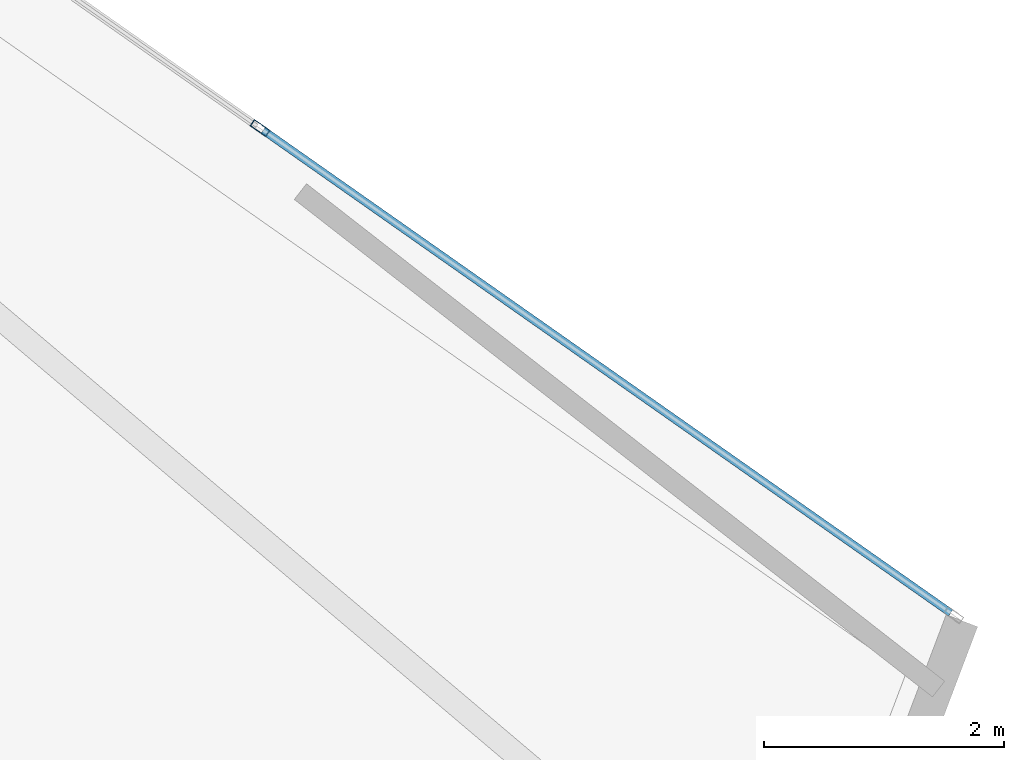
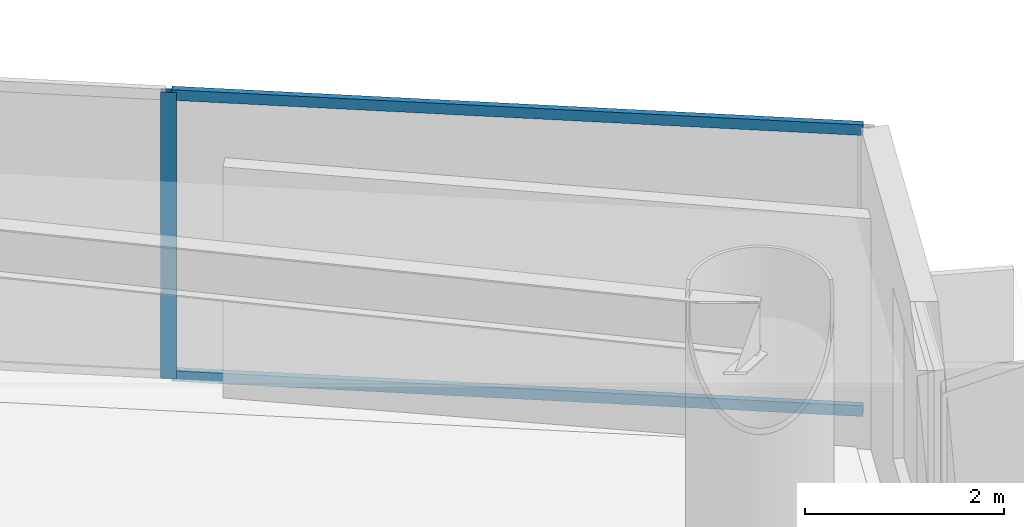
# One storey, part 16 of 24: 3 members, 1 element without a shape of its own.
"""IFC4 building model written with IfcOpenShell, lengths in metres."""

import ifcopenshell
import ifcopenshell.guid

model = None  # the IFC model being written
_history = None  # IfcOwnerHistory: only IFC2X3 demands one
_inside = {}  # id of a spatial element -> (the spatial element, [elements in it])
_under = {}  # id of a project, library or spatial element -> (it, [spatial elements below it])
_declared = {}  # id of a project -> (the project, [libraries it declares])
_typed = {}  # id of a type object -> (the type object, [elements of that type])
_made_of = {}  # id of a material, layer set ... -> (it, [elements and type objects made of it])


def new_model(schema):
    """Start an empty IFC model of exactly this schema.

    Asked for "IFC4X3", IfcOpenShell would pick the latest addendum, in which some entities
    have other attributes; the version numbers below select the first issue.
    IFC2X3 requires an IfcOwnerHistory on every rooted entity: one is made here for all.
    """
    global model, _history
    if schema == "IFC4X3":
        model = ifcopenshell.file(schema_version=(4, 3, 0, 0))
    else:
        model = ifcopenshell.file(schema=schema)
    _inside.clear()
    _under.clear()
    _declared.clear()
    _typed.clear()
    _made_of.clear()
    _history = None
    if model.schema == "IFC2X3":
        org = make("IfcOrganization", Name="unknown")
        user = make(
            "IfcPersonAndOrganization",
            ThePerson=make("IfcPerson", FamilyName="unknown"),
            TheOrganization=org,
        )
        app = make(
            "IfcApplication",
            ApplicationDeveloper=org,
            Version="unknown",
            ApplicationFullName="unknown",
            ApplicationIdentifier="unknown",
        )
        _history = make(
            "IfcOwnerHistory",
            OwningUser=user,
            OwningApplication=app,
            ChangeAction="ADDED",
            CreationDate=0,
        )
    return model


def make(cls, **values):
    """One entity of the class cls with the attributes given. An attribute that is None is left unset."""
    return model.create_entity(
        cls, **{name: value for name, value in values.items() if value is not None}
    )


def rooted(cls, **values):
    """An entity with a GlobalId (a new one), such as an element, a storey or a relation."""
    return make(cls, GlobalId=ifcopenshell.guid.new(), OwnerHistory=_history, **values)


def si_unit(unit_type, name, prefix=None):
    """IfcSIUnit, for example si_unit("LENGTHUNIT", "METRE", prefix="MILLI")."""
    return make("IfcSIUnit", UnitType=unit_type, Prefix=prefix, Name=name)


def assignment(units):
    """IfcUnitAssignment: the units of a project."""
    return None if units is None else make("IfcUnitAssignment", Units=units)


def point(xyz):
    """IfcCartesianPoint."""
    return None if xyz is None else make("IfcCartesianPoint", Coordinates=xyz)


def direction(xyz):
    """IfcDirection."""
    return None if xyz is None else make("IfcDirection", DirectionRatios=xyz)


def frame(location, z_axis=None, x_axis=None):
    """IfcAxis2Placement3D, a coordinate frame: its origin and axes. An axis left out is left unset."""
    return make(
        "IfcAxis2Placement3D",
        Location=point(location),
        Axis=direction(z_axis),
        RefDirection=direction(x_axis),
    )


def frame_2d(location, x_axis=None):
    """IfcAxis2Placement2D, a coordinate frame in the plane: its origin and x axis."""
    return make(
        "IfcAxis2Placement2D", Location=point(location), RefDirection=direction(x_axis)
    )


def origin():
    """The frame at (0, 0, 0) with its axes left unset."""
    return frame((0.0, 0.0, 0.0))


def origin_2d():
    """The frame at (0, 0) in the plane with its x axis left unset."""
    return frame_2d((0.0, 0.0))


def place(relative_to, where):
    """IfcLocalPlacement: puts the frame where relative to a parent placement (None: the world)."""
    return make(
        "IfcLocalPlacement", PlacementRelTo=relative_to, RelativePlacement=where
    )


def context(
    kind, dimensions, precision=None, world=None, true_north=None, identifier=None
):
    """IfcGeometricRepresentationContext, for example the 3D "Model" context."""
    return make(
        "IfcGeometricRepresentationContext",
        ContextIdentifier=identifier,
        ContextType=kind,
        CoordinateSpaceDimension=dimensions,
        Precision=precision,
        WorldCoordinateSystem=world,
        TrueNorth=true_north,
    )


def subcontext(parent, identifier, kind, view, scale=None):
    """IfcGeometricRepresentationSubContext, for example "Body" below "Model"."""
    return make(
        "IfcGeometricRepresentationSubContext",
        ContextIdentifier=identifier,
        ContextType=kind,
        ParentContext=parent,
        TargetScale=scale,
        TargetView=view,
    )


def project(units=None, contexts=None):
    """IfcProject with its units and contexts."""
    return rooted(
        "IfcProject",
        Name="project",
        RepresentationContexts=contexts,
        UnitsInContext=assignment(units),
    )


def spatial(cls, under=None, at=None, **own):
    """A site, building, storey or space (cls), placed at a placement, below another one or the project."""
    s = rooted(cls, ObjectPlacement=at, **own)
    if under is not None:
        _under.setdefault(under.id(), (under, []))[1].append(s)
    return s


def profile(cls, at=None, kind="AREA", **sizes):
    """A parametric profile (cls). Its sizes go by their IFC names, for example OverallWidth=200.0."""
    return make(cls, ProfileType=kind, Position=at, **sizes)


def hollow_rectangle(**sizes):
    """IfcRectangleHollowProfileDef."""
    return profile("IfcRectangleHollowProfileDef", **sizes)


def extrude(swept, where, along, depth):
    """IfcExtrudedAreaSolid: the profile swept, set in the frame where, extruded along a direction by depth."""
    return make(
        "IfcExtrudedAreaSolid",
        SweptArea=swept,
        Position=where,
        ExtrudedDirection=direction(along),
        Depth=depth,
    )


def shape(context_of_items, identifier, shape_type, items):
    """IfcShapeRepresentation: the items that make up one representation, for example the "Body"."""
    return make(
        "IfcShapeRepresentation",
        ContextOfItems=context_of_items,
        RepresentationIdentifier=identifier,
        RepresentationType=shape_type,
        Items=items,
    )


def material(Name=None, Category=None):
    """IfcMaterial."""
    return make("IfcMaterial", Name=Name, Category=Category)


def layer(
    of_material, thickness, ventilated=None, Name=None, Category=None, Priority=None
):
    """IfcMaterialLayer: one layer of a wall or slab, of a material (None: an air gap)."""
    return make(
        "IfcMaterialLayer",
        Material=of_material,
        LayerThickness=thickness,
        IsVentilated=ventilated,
        Name=Name,
        Category=Category,
        Priority=Priority,
    )


def layer_set(layers, Name=None):
    """IfcMaterialLayerSet."""
    return make("IfcMaterialLayerSet", MaterialLayers=layers, LayerSetName=Name)


def material_profile(
    of_material, cross_section, Name=None, Category=None, Priority=None
):
    """IfcMaterialProfile: a cross section and its material."""
    return make(
        "IfcMaterialProfile",
        Name=Name,
        Material=of_material,
        Profile=cross_section,
        Priority=Priority,
        Category=Category,
    )


def profile_set(profiles, Name=None, composite=None):
    """IfcMaterialProfileSet."""
    return make(
        "IfcMaterialProfileSet",
        Name=Name,
        MaterialProfiles=profiles,
        CompositeProfile=composite,
    )


def made_of(thing, what):
    """Note that an element or type object is made of a material, layer set ...; save() writes the relation."""
    if what is not None:
        _made_of.setdefault(what.id(), (what, []))[1].append(thing)
    return thing


def type_object(cls, material=None, **own):
    """A type object (cls), such as IfcWallType, which elements share."""
    return made_of(rooted(cls, **own), material)


def element(
    cls,
    number,
    at=None,
    inside=None,
    cuts=None,
    type_object=None,
    material=None,
    context=None,
    identifier="Body",
    shape_type=None,
    held_by="IfcProductDefinitionShape",
    body=None,
    shapes=None,
    **own,
):
    """One element of the class cls, such as IfcWall. Its Tag is "e" and its number.

    at: its placement. inside: the storey or other place that contains it. cuts: it is an
    opening in that element (IfcRelVoidsElement). A single representation is given by context,
    identifier, shape_type and body (its items); several are given by shapes. held_by: the class
    of the entity that holds the representations. save() writes the other relations.
    """
    e = rooted(cls, Tag="e%d" % number, ObjectPlacement=at, **own)
    if body is not None:
        shapes = [shape(context, identifier, shape_type, body)]
    if shapes is not None:
        e.Representation = make(held_by, Representations=shapes)
    if inside is not None:
        _inside.setdefault(inside.id(), (inside, []))[1].append(e)
    if cuts is not None:
        rooted(
            "IfcRelVoidsElement", RelatingBuildingElement=cuts, RelatedOpeningElement=e
        )
    if type_object is not None:
        _typed.setdefault(type_object.id(), (type_object, []))[1].append(e)
    return made_of(e, material)


def aggregate(whole, parts):
    """IfcRelAggregates: a whole, such as a stair, and the parts it consists of."""
    return rooted("IfcRelAggregates", RelatingObject=whole, RelatedObjects=parts)


def save(model, path):
    """Write the relations noted so far, then the file.

    IfcRelAggregates (storeys below a building ...), IfcRelContainedInSpatialStructure (elements
    in a storey), IfcRelDefinesByType, IfcRelAssociatesMaterial and IfcRelDeclares: one each for
    every whole, place, type object, material and project.
    """
    for whole, parts in _under.values():
        aggregate(whole, parts)
    for where, things in _inside.values():
        rooted(
            "IfcRelContainedInSpatialStructure",
            RelatedElements=things,
            RelatingStructure=where,
        )
    for kind, things in _typed.values():
        rooted("IfcRelDefinesByType", RelatedObjects=things, RelatingType=kind)
    for what, things in _made_of.values():
        rooted("IfcRelAssociatesMaterial", RelatedObjects=things, RelatingMaterial=what)
    for by, libraries in _declared.values():
        rooted("IfcRelDeclares", RelatingContext=by, RelatedDefinitions=libraries)
    model.write(path)


model = new_model("IFC4")

# Units and contexts
model_context = context("Model", 3, precision=1e-05, world=origin(), true_north=direction((0.0, 1.0)))
body_context = subcontext(model_context, "Body", "Model", "MODEL_VIEW")
ifc_project = project(units=[si_unit("LENGTHUNIT", "METRE"), si_unit("AREAUNIT", "SQUARE_METRE"), si_unit("VOLUMEUNIT", "CUBIC_METRE"), si_unit("PLANEANGLEUNIT", "RADIAN"), si_unit("MASSUNIT", "GRAM", prefix="KILO")], contexts=[model_context])

# Site, building, storey
site_placement = place(None, origin())
site = spatial("IfcSite", under=ifc_project, at=site_placement, CompositionType="ELEMENT")
building_placement = place(site_placement, origin())
building = spatial("IfcBuilding", under=site, at=building_placement, Name="Qianvela Tower", CompositionType="ELEMENT")
storey_placement = place(building_placement, frame((0.0, 0.0, 101.5)))
storey = spatial("IfcBuildingStorey", under=building, at=storey_placement, Name="L25", CompositionType="ELEMENT", Elevation=101.5)

# Curtain wall, members
ifc_material_1 = material(Name="Anodised Architectural Aluminium and Low-E Glass", Category="aluminium")
ifc_layer = layer(ifc_material_1, 0.169921875)
ifc_layer_set = layer_set([ifc_layer], Name="Anodised Architectural Aluminium and Low-E Glass")
curtain_wall_type = type_object("IfcCurtainWallType", Name="CW-COLIV-Z34", PredefinedType="USERDEFINED", material=ifc_layer_set)
curtain_wall_placement = place(storey_placement, origin())
curtain_wall = element("IfcCurtainWall", 1, at=curtain_wall_placement, inside=storey, type_object=curtain_wall_type, Name="L25 CW-COLIV-Z34 Curtain Wall 02A", ObjectType="CURTAIN_WALL_SYSTEM", PredefinedType="USERDEFINED")
ifc_material_2 = material(Name="Anodised Architectural Aluminium 6063-T6", Category="aluminium")
ifc_material_profile_1 = material_profile(ifc_material_2, hollow_rectangle(XDim=0.06494140625, YDim=0.159912109375, WallThickness=0.0048828125, at=origin_2d()), Name="ALU-MULL-65x160")
ifc_profile_set_1 = profile_set([ifc_material_profile_1], Name="Anodised Architectural Aluminium 6063-T6")
member_type_1 = type_object("IfcMemberType", Name="CW-COLIV-Z34-MULL", PredefinedType="MULLION", material=ifc_profile_set_1)
member_1_placement = place(storey_placement, frame((53.90087890625, 30.156982421875, 0.0), z_axis=(0.0, 0.0, 1.0), x_axis=(-0.574622174545, -0.818418814863, 0.0)))
member_1 = element("IfcMember", 2, at=member_1_placement, type_object=member_type_1, Name="CW-4 mullion 2", PredefinedType="MULLION", context=body_context, shape_type="SweptSolid", body=[
    extrude(hollow_rectangle(XDim=0.06494140625, YDim=0.159912109375, WallThickness=0.0048828125, at=origin_2d()), origin(), (0.0, 0.0, 1.0), 3.52001953125),
])
ifc_material_3 = material(Name="Anodised Architectural Aluminium 6063-T6", Category="aluminium")
ifc_material_profile_2 = material_profile(ifc_material_3, hollow_rectangle(XDim=0.06494140625, YDim=0.1298828125, WallThickness=0.00439453125, at=origin_2d()), Name="ALU-TRAN-65x130")
ifc_profile_set_2 = profile_set([ifc_material_profile_2], Name="Anodised Architectural Aluminium 6063-T6")
member_type_2 = type_object("IfcMemberType", Name="CW-COLIV-Z34-TRAN", PredefinedType="USERDEFINED", material=ifc_profile_set_2)
member_2_placement = place(storey_placement, frame((59.646240234375, 26.123046875, 0.032470703125), z_axis=(-0.81840708128, 0.574638886006, 0.0), x_axis=(-0.574638886006, -0.81840708128, 0.0)))
member_2 = element("IfcMember", 3, at=member_2_placement, type_object=member_type_2, Name="CW-4 transom 1.1", ObjectType="TRANSOM", PredefinedType="USERDEFINED", context=body_context, shape_type="SweptSolid", body=[
    extrude(hollow_rectangle(XDim=0.06494140625, YDim=0.1298828125, WallThickness=0.00439453125, at=origin_2d()), origin(), (0.0, 0.0, 1.0), 6.987548828125),
])
member_3_placement = place(storey_placement, frame((59.646240234375, 26.123046875, 3.487548828125), z_axis=(-0.81840708128, 0.574638886006, 0.0), x_axis=(-0.574638886006, -0.81840708128, 0.0)))
member_3 = element("IfcMember", 4, at=member_3_placement, type_object=member_type_2, Name="CW-4 transom 1.2", ObjectType="TRANSOM", PredefinedType="USERDEFINED", context=body_context, shape_type="SweptSolid", body=[
    extrude(hollow_rectangle(XDim=0.06494140625, YDim=0.1298828125, WallThickness=0.00439453125, at=origin_2d()), origin(), (0.0, 0.0, 1.0), 6.987548828125),
])
aggregate(curtain_wall, [member_1, member_2, member_3])

save(model, "model.ifc")
